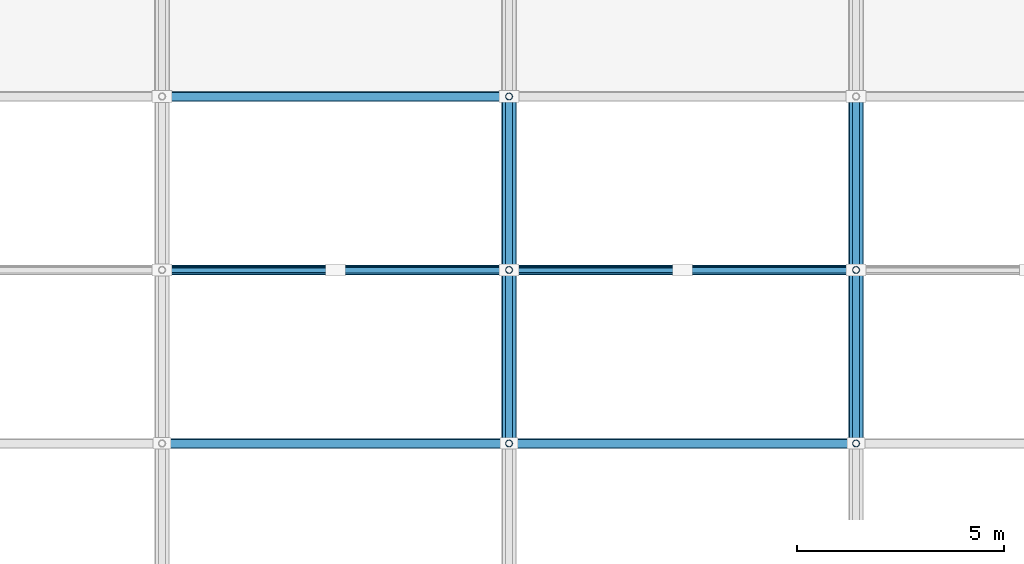
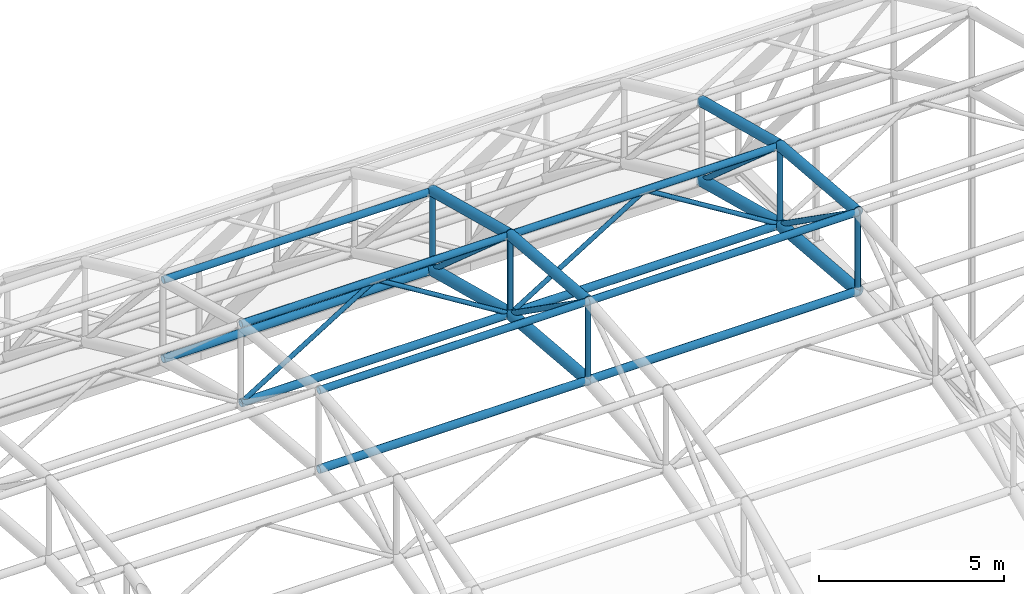
# One storey, part 46 of 103: 23 members, 8 beams.
"""IFC4 building model written with IfcOpenShell, lengths in metres."""

import ifcopenshell
import ifcopenshell.guid

model = None  # the IFC model being written
_history = None  # IfcOwnerHistory: only IFC2X3 demands one
_inside = {}  # id of a spatial element -> (the spatial element, [elements in it])
_under = {}  # id of a project, library or spatial element -> (it, [spatial elements below it])
_declared = {}  # id of a project -> (the project, [libraries it declares])
_typed = {}  # id of a type object -> (the type object, [elements of that type])
_made_of = {}  # id of a material, layer set ... -> (it, [elements and type objects made of it])


def new_model(schema):
    """Start an empty IFC model of exactly this schema.

    Asked for "IFC4X3", IfcOpenShell would pick the latest addendum, in which some entities
    have other attributes; the version numbers below select the first issue.
    IFC2X3 requires an IfcOwnerHistory on every rooted entity: one is made here for all.
    """
    global model, _history
    if schema == "IFC4X3":
        model = ifcopenshell.file(schema_version=(4, 3, 0, 0))
    else:
        model = ifcopenshell.file(schema=schema)
    _inside.clear()
    _under.clear()
    _declared.clear()
    _typed.clear()
    _made_of.clear()
    _history = None
    if model.schema == "IFC2X3":
        org = make("IfcOrganization", Name="unknown")
        user = make(
            "IfcPersonAndOrganization",
            ThePerson=make("IfcPerson", FamilyName="unknown"),
            TheOrganization=org,
        )
        app = make(
            "IfcApplication",
            ApplicationDeveloper=org,
            Version="unknown",
            ApplicationFullName="unknown",
            ApplicationIdentifier="unknown",
        )
        _history = make(
            "IfcOwnerHistory",
            OwningUser=user,
            OwningApplication=app,
            ChangeAction="ADDED",
            CreationDate=0,
        )
    return model


def make(cls, **values):
    """One entity of the class cls with the attributes given. An attribute that is None is left unset."""
    return model.create_entity(
        cls, **{name: value for name, value in values.items() if value is not None}
    )


def rooted(cls, **values):
    """An entity with a GlobalId (a new one), such as an element, a storey or a relation."""
    return make(cls, GlobalId=ifcopenshell.guid.new(), OwnerHistory=_history, **values)


def si_unit(unit_type, name, prefix=None):
    """IfcSIUnit, for example si_unit("LENGTHUNIT", "METRE", prefix="MILLI")."""
    return make("IfcSIUnit", UnitType=unit_type, Prefix=prefix, Name=name)


def assignment(units):
    """IfcUnitAssignment: the units of a project."""
    return None if units is None else make("IfcUnitAssignment", Units=units)


def point(xyz):
    """IfcCartesianPoint."""
    return None if xyz is None else make("IfcCartesianPoint", Coordinates=xyz)


def direction(xyz):
    """IfcDirection."""
    return None if xyz is None else make("IfcDirection", DirectionRatios=xyz)


def frame(location, z_axis=None, x_axis=None):
    """IfcAxis2Placement3D, a coordinate frame: its origin and axes. An axis left out is left unset."""
    return make(
        "IfcAxis2Placement3D",
        Location=point(location),
        Axis=direction(z_axis),
        RefDirection=direction(x_axis),
    )


def frame_2d(location, x_axis=None):
    """IfcAxis2Placement2D, a coordinate frame in the plane: its origin and x axis."""
    return make(
        "IfcAxis2Placement2D", Location=point(location), RefDirection=direction(x_axis)
    )


def origin():
    """The frame at (0, 0, 0) with its axes left unset."""
    return frame((0.0, 0.0, 0.0))


def origin_2d():
    """The frame at (0, 0) in the plane with its x axis left unset."""
    return frame_2d((0.0, 0.0))


def place(relative_to, where):
    """IfcLocalPlacement: puts the frame where relative to a parent placement (None: the world)."""
    return make(
        "IfcLocalPlacement", PlacementRelTo=relative_to, RelativePlacement=where
    )


def context(
    kind, dimensions, precision=None, world=None, true_north=None, identifier=None
):
    """IfcGeometricRepresentationContext, for example the 3D "Model" context."""
    return make(
        "IfcGeometricRepresentationContext",
        ContextIdentifier=identifier,
        ContextType=kind,
        CoordinateSpaceDimension=dimensions,
        Precision=precision,
        WorldCoordinateSystem=world,
        TrueNorth=true_north,
    )


def subcontext(parent, identifier, kind, view, scale=None):
    """IfcGeometricRepresentationSubContext, for example "Body" below "Model"."""
    return make(
        "IfcGeometricRepresentationSubContext",
        ContextIdentifier=identifier,
        ContextType=kind,
        ParentContext=parent,
        TargetScale=scale,
        TargetView=view,
    )


def project(units=None, contexts=None):
    """IfcProject with its units and contexts."""
    return rooted(
        "IfcProject",
        Name="project",
        RepresentationContexts=contexts,
        UnitsInContext=assignment(units),
    )


def spatial(cls, under=None, at=None, **own):
    """A site, building, storey or space (cls), placed at a placement, below another one or the project."""
    s = rooted(cls, ObjectPlacement=at, **own)
    if under is not None:
        _under.setdefault(under.id(), (under, []))[1].append(s)
    return s


def profile(cls, at=None, kind="AREA", **sizes):
    """A parametric profile (cls). Its sizes go by their IFC names, for example OverallWidth=200.0."""
    return make(cls, ProfileType=kind, Position=at, **sizes)


def hollow_circle(**sizes):
    """IfcCircleHollowProfileDef."""
    return profile("IfcCircleHollowProfileDef", **sizes)


def extrude(swept, where, along, depth):
    """IfcExtrudedAreaSolid: the profile swept, set in the frame where, extruded along a direction by depth."""
    return make(
        "IfcExtrudedAreaSolid",
        SweptArea=swept,
        Position=where,
        ExtrudedDirection=direction(along),
        Depth=depth,
    )


def shape(context_of_items, identifier, shape_type, items):
    """IfcShapeRepresentation: the items that make up one representation, for example the "Body"."""
    return make(
        "IfcShapeRepresentation",
        ContextOfItems=context_of_items,
        RepresentationIdentifier=identifier,
        RepresentationType=shape_type,
        Items=items,
    )


def material(Name=None, Category=None):
    """IfcMaterial."""
    return make("IfcMaterial", Name=Name, Category=Category)


def material_profile(
    of_material, cross_section, Name=None, Category=None, Priority=None
):
    """IfcMaterialProfile: a cross section and its material."""
    return make(
        "IfcMaterialProfile",
        Name=Name,
        Material=of_material,
        Profile=cross_section,
        Priority=Priority,
        Category=Category,
    )


def profile_set(profiles, Name=None, composite=None):
    """IfcMaterialProfileSet."""
    return make(
        "IfcMaterialProfileSet",
        Name=Name,
        MaterialProfiles=profiles,
        CompositeProfile=composite,
    )


def made_of(thing, what):
    """Note that an element or type object is made of a material, layer set ...; save() writes the relation."""
    if what is not None:
        _made_of.setdefault(what.id(), (what, []))[1].append(thing)
    return thing


def type_object(cls, material=None, **own):
    """A type object (cls), such as IfcWallType, which elements share."""
    return made_of(rooted(cls, **own), material)


def element(
    cls,
    number,
    at=None,
    inside=None,
    cuts=None,
    type_object=None,
    material=None,
    context=None,
    identifier="Body",
    shape_type=None,
    held_by="IfcProductDefinitionShape",
    body=None,
    shapes=None,
    **own,
):
    """One element of the class cls, such as IfcWall. Its Tag is "e" and its number.

    at: its placement. inside: the storey or other place that contains it. cuts: it is an
    opening in that element (IfcRelVoidsElement). A single representation is given by context,
    identifier, shape_type and body (its items); several are given by shapes. held_by: the class
    of the entity that holds the representations. save() writes the other relations.
    """
    e = rooted(cls, Tag="e%d" % number, ObjectPlacement=at, **own)
    if body is not None:
        shapes = [shape(context, identifier, shape_type, body)]
    if shapes is not None:
        e.Representation = make(held_by, Representations=shapes)
    if inside is not None:
        _inside.setdefault(inside.id(), (inside, []))[1].append(e)
    if cuts is not None:
        rooted(
            "IfcRelVoidsElement", RelatingBuildingElement=cuts, RelatedOpeningElement=e
        )
    if type_object is not None:
        _typed.setdefault(type_object.id(), (type_object, []))[1].append(e)
    return made_of(e, material)


def aggregate(whole, parts):
    """IfcRelAggregates: a whole, such as a stair, and the parts it consists of."""
    return rooted("IfcRelAggregates", RelatingObject=whole, RelatedObjects=parts)


def save(model, path):
    """Write the relations noted so far, then the file.

    IfcRelAggregates (storeys below a building ...), IfcRelContainedInSpatialStructure (elements
    in a storey), IfcRelDefinesByType, IfcRelAssociatesMaterial and IfcRelDeclares: one each for
    every whole, place, type object, material and project.
    """
    for whole, parts in _under.values():
        aggregate(whole, parts)
    for where, things in _inside.values():
        rooted(
            "IfcRelContainedInSpatialStructure",
            RelatedElements=things,
            RelatingStructure=where,
        )
    for kind, things in _typed.values():
        rooted("IfcRelDefinesByType", RelatedObjects=things, RelatingType=kind)
    for what, things in _made_of.values():
        rooted("IfcRelAssociatesMaterial", RelatedObjects=things, RelatingMaterial=what)
    for by, libraries in _declared.values():
        rooted("IfcRelDeclares", RelatingContext=by, RelatedDefinitions=libraries)
    model.write(path)


model = new_model("IFC4")

# Units and contexts
model_context = context("Model", 3, precision=1e-05, world=origin(), true_north=direction((0.0, 1.0)))
body_context = subcontext(model_context, "Body", "Model", "MODEL_VIEW")
ifc_project = project(units=[si_unit("LENGTHUNIT", "METRE"), si_unit("AREAUNIT", "SQUARE_METRE"), si_unit("VOLUMEUNIT", "CUBIC_METRE"), si_unit("PLANEANGLEUNIT", "RADIAN"), si_unit("MASSUNIT", "GRAM", prefix="KILO")], contexts=[model_context])

# Site, building, storey
site_placement = place(None, origin())
site = spatial("IfcSite", under=ifc_project, at=site_placement, CompositionType="ELEMENT")
building_placement = place(site_placement, origin())
building = spatial("IfcBuilding", under=site, at=building_placement, Name="Varnapada Polytechnic", CompositionType="ELEMENT")
storey_placement = place(building_placement, frame((0.0, 0.0, 18.0)))
storey = spatial("IfcBuildingStorey", under=building, at=storey_placement, Name="L04", CompositionType="ELEMENT", Elevation=18.0)

# Members
ifc_material = material(Name="Steel S355", Category="steel")
ifc_material_profile_1 = material_profile(ifc_material, hollow_circle(Radius=0.122314453125, WallThickness=0.008056640625, at=origin_2d()), Name="CHS 244.5x8.0")
ifc_profile_set_1 = profile_set([ifc_material_profile_1], Name="Steel S355")
member_type_1 = type_object("IfcMemberType", Name="Vaulted space frame longitudinal bottom chord SFC-01 (CHS 244.5x8.0)", PredefinedType="CHORD", material=ifc_profile_set_1)
for number, where, z_axis, x_axis, name in (
    (1, (109.199951171875, 105.0, 11.435302734375), (1.0, 0.0, 0.0), (0.0, 1.0, 0.0), "Vaulted space frame longitudinal bottom chord 8.6"),
    (2, (109.199951171875, 109.199951171875, 11.080078125), (1.0, 0.0, 0.0), (0.0, 1.0, 0.0), "Vaulted space frame longitudinal bottom chord 8.7"),
    (3, (109.199951171875, 113.39990234375, 9.98193359375), (1.0, 0.0, 0.0), (0.0, 1.0, 0.0), "Vaulted space frame longitudinal bottom chord 8.8"),
):
    element("IfcMember", number, at=place(storey_placement, frame(where, z_axis=z_axis, x_axis=x_axis)), inside=storey, type_object=member_type_1, Name=name, PredefinedType="CHORD", context=body_context, shape_type="SweptSolid", body=[
        extrude(hollow_circle(Radius=0.122314453125, WallThickness=0.008056640625, at=origin_2d()), origin(), (0.0, 0.0, 1.0), 8.400146484375),
    ])
for number, where, z_axis, x_axis, name in (
    (4, (117.60009765625, 105.0, 11.435302734375), (1.0, 0.0, 0.0), (0.0, 1.0, 0.0), "Vaulted space frame longitudinal bottom chord 9.6"),
    (5, (117.60009765625, 109.199951171875, 11.080078125), (1.0, 0.0, 0.0), (0.0, 1.0, 0.0), "Vaulted space frame longitudinal bottom chord 9.7"),
):
    element("IfcMember", number, at=place(storey_placement, frame(where, z_axis=z_axis, x_axis=x_axis)), inside=storey, type_object=member_type_1, Name=name, PredefinedType="CHORD", context=body_context, shape_type="SweptSolid", body=[
        extrude(hollow_circle(Radius=0.122314453125, WallThickness=0.008056640625, at=origin_2d()), origin(), (0.0, 0.0, 1.0), 8.39990234375),
    ])
ifc_material_profile_2 = material_profile(ifc_material, hollow_circle(Radius=0.109619140625, WallThickness=0.008056640625, at=origin_2d()), Name="CHS 219.1x8.0")
ifc_profile_set_2 = profile_set([ifc_material_profile_2], Name="Steel S355")
member_type_2 = type_object("IfcMemberType", Name="Vaulted space frame longitudinal top chord SFC-02 (CHS 219.1x8.0)", PredefinedType="CHORD", material=ifc_profile_set_2)
for number, where, z_axis, x_axis, name in (
    (6, (109.199951171875, 105.0, 14.035400390625), (1.0, 0.0, 0.0), (0.0, 1.0, 0.0), "Vaulted space frame longitudinal top chord 8.6"),
    (7, (109.199951171875, 109.199951171875, 13.679931640625), (1.0, 0.0, 0.0), (0.0, 1.0, 0.0), "Vaulted space frame longitudinal top chord 8.7"),
    (8, (109.199951171875, 113.39990234375, 12.581787109375), (1.0, 0.0, 0.0), (0.0, 1.0, 0.0), "Vaulted space frame longitudinal top chord 8.8"),
):
    element("IfcMember", number, at=place(storey_placement, frame(where, z_axis=z_axis, x_axis=x_axis)), inside=storey, type_object=member_type_2, Name=name, PredefinedType="CHORD", context=body_context, shape_type="SweptSolid", body=[
        extrude(hollow_circle(Radius=0.109619140625, WallThickness=0.008056640625, at=origin_2d()), origin(), (0.0, 0.0, 1.0), 8.400146484375),
    ])
for number, where, z_axis, x_axis, name in (
    (9, (117.60009765625, 105.0, 14.035400390625), (1.0, 0.0, 0.0), (0.0, 1.0, 0.0), "Vaulted space frame longitudinal top chord 9.6"),
    (10, (117.60009765625, 109.199951171875, 13.679931640625), (1.0, 0.0, 0.0), (0.0, 1.0, 0.0), "Vaulted space frame longitudinal top chord 9.7"),
):
    element("IfcMember", number, at=place(storey_placement, frame(where, z_axis=z_axis, x_axis=x_axis)), inside=storey, type_object=member_type_2, Name=name, PredefinedType="CHORD", context=body_context, shape_type="SweptSolid", body=[
        extrude(hollow_circle(Radius=0.109619140625, WallThickness=0.008056640625, at=origin_2d()), origin(), (0.0, 0.0, 1.0), 8.39990234375),
    ])

# Beams
ifc_material_profile_3 = material_profile(ifc_material, hollow_circle(Radius=0.177734375, WallThickness=0.012451171875, at=origin_2d()), Name="CHS 355.6x12.5")
ifc_profile_set_3 = profile_set([ifc_material_profile_3], Name="Steel S355")
beam_type_1 = type_object("IfcBeamType", Name="Vaulted space frame primary arch rib VA-01 (CHS 355.6x12.5)", PredefinedType="BEAM", material=ifc_profile_set_3)
beam_1_placement = place(storey_placement, frame((117.60009765625, 105.0, 11.435302734375), z_axis=(0.0, 0.99644233396, -0.084277369988), x_axis=(-1.0, 0.0, 0.0)))
element("IfcBeam", 11, at=beam_1_placement, inside=storey, type_object=beam_type_1, Name="Vaulted space frame bottom arch chord 9.6", PredefinedType="BEAM", context=body_context, shape_type="SweptSolid", body=[
    extrude(hollow_circle(Radius=0.177734375, WallThickness=0.012451171875, at=origin_2d()), origin(), (0.0, 0.0, 1.0), 4.21484375),
])
beam_2_placement = place(storey_placement, frame((117.60009765625, 109.199951171875, 11.080078125), z_axis=(0.0, 0.967476176159, -0.252962148484), x_axis=(-1.0, 0.0, 0.0)))
element("IfcBeam", 12, at=beam_2_placement, inside=storey, type_object=beam_type_1, Name="Vaulted space frame bottom arch chord 9.7", PredefinedType="BEAM", context=body_context, shape_type="SweptSolid", body=[
    extrude(hollow_circle(Radius=0.177734375, WallThickness=0.012451171875, at=origin_2d()), origin(), (0.0, 0.0, 1.0), 4.341064453125),
])
beam_3_placement = place(storey_placement, frame((126.0, 105.0, 11.435302734375), z_axis=(0.0, 0.99644233396, -0.084277369988), x_axis=(-1.0, 0.0, 0.0)))
element("IfcBeam", 13, at=beam_3_placement, inside=storey, type_object=beam_type_1, Name="Vaulted space frame bottom arch chord 10.6", PredefinedType="BEAM", context=body_context, shape_type="SweptSolid", body=[
    extrude(hollow_circle(Radius=0.177734375, WallThickness=0.012451171875, at=origin_2d()), origin(), (0.0, 0.0, 1.0), 4.21484375),
])
beam_4_placement = place(storey_placement, frame((126.0, 109.199951171875, 11.080078125), z_axis=(0.0, 0.967476176159, -0.252962148484), x_axis=(-1.0, 0.0, 0.0)))
element("IfcBeam", 14, at=beam_4_placement, inside=storey, type_object=beam_type_1, Name="Vaulted space frame bottom arch chord 10.7", PredefinedType="BEAM", context=body_context, shape_type="SweptSolid", body=[
    extrude(hollow_circle(Radius=0.177734375, WallThickness=0.012451171875, at=origin_2d()), origin(), (0.0, 0.0, 1.0), 4.341064453125),
])

# Members
ifc_material_profile_4 = material_profile(ifc_material, hollow_circle(Radius=0.084228515625, WallThickness=0.00634765625, at=origin_2d()), Name="CHS 168.3x6.3")
ifc_profile_set_4 = profile_set([ifc_material_profile_4], Name="Steel S355")
member_type_3 = type_object("IfcMemberType", Name="Vaulted space frame primary web diagonal SFB-01 (CHS 168.3x6.3)", PredefinedType="BRACE", material=ifc_profile_set_4)
member_1_placement = place(storey_placement, frame((117.60009765625, 105.0, 14.035400390625), z_axis=(0.0, 0.817824649693, -0.575467498956), x_axis=(-1.0, 0.0, 0.0)))
element("IfcMember", 15, at=member_1_placement, inside=storey, type_object=member_type_3, Name="Vaulted space frame web diagonal 9.6", PredefinedType="BRACE", context=body_context, shape_type="SweptSolid", body=[
    extrude(hollow_circle(Radius=0.084228515625, WallThickness=0.00634765625, at=origin_2d()), origin(), (0.0, 0.0, 1.0), 5.135498046875),
])
member_2_placement = place(storey_placement, frame((117.60009765625, 109.199951171875, 13.679931640625), z_axis=(0.0, 0.750532603682, -0.660833421378), x_axis=(-1.0, 0.0, 0.0)))
element("IfcMember", 16, at=member_2_placement, inside=storey, type_object=member_type_3, Name="Vaulted space frame web diagonal 9.7", PredefinedType="BRACE", context=body_context, shape_type="SweptSolid", body=[
    extrude(hollow_circle(Radius=0.084228515625, WallThickness=0.00634765625, at=origin_2d()), origin(), (0.0, 0.0, 1.0), 5.595947265625),
])
member_3_placement = place(storey_placement, frame((126.0, 105.0, 14.035400390625), z_axis=(0.0, 0.817824649693, -0.575467498956), x_axis=(-1.0, 0.0, 0.0)))
element("IfcMember", 17, at=member_3_placement, inside=storey, type_object=member_type_3, Name="Vaulted space frame web diagonal 10.6", PredefinedType="BRACE", context=body_context, shape_type="SweptSolid", body=[
    extrude(hollow_circle(Radius=0.084228515625, WallThickness=0.00634765625, at=origin_2d()), origin(), (0.0, 0.0, 1.0), 5.135498046875),
])
member_4_placement = place(storey_placement, frame((126.0, 109.199951171875, 13.679931640625), z_axis=(0.0, 0.750532603682, -0.660833421378), x_axis=(-1.0, 0.0, 0.0)))
element("IfcMember", 18, at=member_4_placement, inside=storey, type_object=member_type_3, Name="Vaulted space frame web diagonal 10.7", PredefinedType="BRACE", context=body_context, shape_type="SweptSolid", body=[
    extrude(hollow_circle(Radius=0.084228515625, WallThickness=0.00634765625, at=origin_2d()), origin(), (0.0, 0.0, 1.0), 5.595947265625),
])
ifc_material_profile_5 = material_profile(ifc_material, hollow_circle(Radius=0.084228515625, WallThickness=0.00634765625, at=origin_2d()), Name="CHS 168.3x6.3")
ifc_profile_set_5 = profile_set([ifc_material_profile_5], Name="Steel S355")
member_type_4 = type_object("IfcMemberType", Name="Vaulted space frame radial web strut SFS-01 (CHS 168.3x6.3)", PredefinedType="STRUT", material=ifc_profile_set_5)
member_5_placement = place(storey_placement, frame((117.60009765625, 105.0, 11.435302734375), z_axis=(0.0, 0.0, 1.0), x_axis=(1.0, 0.0, 0.0)))
element("IfcMember", 19, at=member_5_placement, inside=storey, type_object=member_type_4, Name="Vaulted space frame strut 9.6", PredefinedType="STRUT", context=body_context, shape_type="SweptSolid", body=[
    extrude(hollow_circle(Radius=0.084228515625, WallThickness=0.00634765625, at=origin_2d()), origin(), (0.0, 0.0, 1.0), 2.60009765625),
])
for number, where, z_axis, x_axis, name in (
    (20, (117.60009765625, 109.199951171875, 11.080078125), (0.0, 0.0, 1.0), (1.0, 0.0, 0.0), "Vaulted space frame strut 9.7"),
    (21, (117.60009765625, 113.39990234375, 9.98193359375), (0.0, 0.0, 1.0), (1.0, 0.0, 0.0), "Vaulted space frame strut 9.8"),
):
    element("IfcMember", number, at=place(storey_placement, frame(where, z_axis=z_axis, x_axis=x_axis)), inside=storey, type_object=member_type_4, Name=name, PredefinedType="STRUT", context=body_context, shape_type="SweptSolid", body=[
        extrude(hollow_circle(Radius=0.084228515625, WallThickness=0.00634765625, at=origin_2d()), origin(), (0.0, 0.0, 1.0), 2.599853515625),
    ])
member_6_placement = place(storey_placement, frame((126.0, 105.0, 11.435302734375), z_axis=(0.0, 0.0, 1.0), x_axis=(1.0, 0.0, 0.0)))
element("IfcMember", 22, at=member_6_placement, inside=storey, type_object=member_type_4, Name="Vaulted space frame strut 10.6", PredefinedType="STRUT", context=body_context, shape_type="SweptSolid", body=[
    extrude(hollow_circle(Radius=0.084228515625, WallThickness=0.00634765625, at=origin_2d()), origin(), (0.0, 0.0, 1.0), 2.60009765625),
])
member_7_placement = place(storey_placement, frame((126.0, 109.199951171875, 11.080078125), z_axis=(0.0, 0.0, 1.0), x_axis=(1.0, 0.0, 0.0)))
element("IfcMember", 23, at=member_7_placement, inside=storey, type_object=member_type_4, Name="Vaulted space frame strut 10.7", PredefinedType="STRUT", context=body_context, shape_type="SweptSolid", body=[
    extrude(hollow_circle(Radius=0.084228515625, WallThickness=0.00634765625, at=origin_2d()), origin(), (0.0, 0.0, 1.0), 2.599853515625),
])
ifc_material_profile_6 = material_profile(ifc_material, hollow_circle(Radius=0.06982421875, WallThickness=0.0048828125, at=origin_2d()), Name="CHS 139.7x5.0")
ifc_profile_set_6 = profile_set([ifc_material_profile_6], Name="Steel S355")
member_type_5 = type_object("IfcMemberType", Name="Vaulted space frame secondary web diagonal SFB-02 (CHS 139.7x5.0)", PredefinedType="BRACE", material=ifc_profile_set_6)
member_8_placement = place(storey_placement, frame((109.199951171875, 109.199951171875, 11.080078125), z_axis=(0.85027567993, 0.0, 0.526337598999), x_axis=(0.0, 1.0, 0.0)))
element("IfcMember", 24, at=member_8_placement, inside=storey, type_object=member_type_5, Name="Vaulted space frame longitudinal brace 8.7A", PredefinedType="BRACE", context=body_context, shape_type="SweptSolid", body=[
    extrude(hollow_circle(Radius=0.06982421875, WallThickness=0.0048828125, at=origin_2d()), origin(), (0.0, 0.0, 1.0), 4.939453125),
])
member_9_placement = place(storey_placement, frame((117.60009765625, 109.199951171875, 11.080078125), z_axis=(-0.850289371618, 0.0, 0.526315480025), x_axis=(0.0, -1.0, 0.0)))
element("IfcMember", 25, at=member_9_placement, inside=storey, type_object=member_type_5, Name="Vaulted space frame longitudinal brace 8.7B", PredefinedType="BRACE", context=body_context, shape_type="SweptSolid", body=[
    extrude(hollow_circle(Radius=0.06982421875, WallThickness=0.0048828125, at=origin_2d()), origin(), (0.0, 0.0, 1.0), 4.939697265625),
])
for number, where, z_axis, x_axis, name in (
    (26, (117.60009765625, 109.199951171875, 11.080078125), (0.85027567993, 0.0, 0.526337598999), (0.0, 1.0, 0.0), "Vaulted space frame longitudinal brace 9.7A"),
    (27, (126.0, 109.199951171875, 11.080078125), (-0.85027567993, 0.0, 0.526337598999), (0.0, -1.0, 0.0), "Vaulted space frame longitudinal brace 9.7B"),
):
    element("IfcMember", number, at=place(storey_placement, frame(where, z_axis=z_axis, x_axis=x_axis)), inside=storey, type_object=member_type_5, Name=name, PredefinedType="BRACE", context=body_context, shape_type="SweptSolid", body=[
        extrude(hollow_circle(Radius=0.06982421875, WallThickness=0.0048828125, at=origin_2d()), origin(), (0.0, 0.0, 1.0), 4.939453125),
    ])

# Beams
ifc_material_profile_7 = material_profile(ifc_material, hollow_circle(Radius=0.161865234375, WallThickness=0.010009765625, at=origin_2d()), Name="CHS 323.9x10.0")
ifc_profile_set_7 = profile_set([ifc_material_profile_7], Name="Steel S355")
beam_type_2 = type_object("IfcBeamType", Name="Vaulted space frame upper arch rib VA-02 (CHS 323.9x10.0)", PredefinedType="BEAM", material=ifc_profile_set_7)
beam_5_placement = place(storey_placement, frame((117.60009765625, 105.0, 14.035400390625), z_axis=(0.0, 0.996437468128, -0.084334880753), x_axis=(-1.0, 0.0, 0.0)))
element("IfcBeam", 28, at=beam_5_placement, inside=storey, type_object=beam_type_2, Name="Vaulted space frame top arch chord 9.6", PredefinedType="BEAM", context=body_context, shape_type="SweptSolid", body=[
    extrude(hollow_circle(Radius=0.161865234375, WallThickness=0.010009765625, at=origin_2d()), origin(), (0.0, 0.0, 1.0), 4.215087890625),
])
beam_6_placement = place(storey_placement, frame((117.60009765625, 109.199951171875, 13.679931640625), z_axis=(0.0, 0.967476176159, -0.252962148484), x_axis=(-1.0, 0.0, 0.0)))
element("IfcBeam", 29, at=beam_6_placement, inside=storey, type_object=beam_type_2, Name="Vaulted space frame top arch chord 9.7", PredefinedType="BEAM", context=body_context, shape_type="SweptSolid", body=[
    extrude(hollow_circle(Radius=0.161865234375, WallThickness=0.010009765625, at=origin_2d()), origin(), (0.0, 0.0, 1.0), 4.341064453125),
])
beam_7_placement = place(storey_placement, frame((126.0, 105.0, 14.035400390625), z_axis=(0.0, 0.996437468128, -0.084334880753), x_axis=(-1.0, 0.0, 0.0)))
element("IfcBeam", 30, at=beam_7_placement, inside=storey, type_object=beam_type_2, Name="Vaulted space frame top arch chord 10.6", PredefinedType="BEAM", context=body_context, shape_type="SweptSolid", body=[
    extrude(hollow_circle(Radius=0.161865234375, WallThickness=0.010009765625, at=origin_2d()), origin(), (0.0, 0.0, 1.0), 4.215087890625),
])
beam_8_placement = place(storey_placement, frame((126.0, 109.199951171875, 13.679931640625), z_axis=(0.0, 0.967476176159, -0.252962148484), x_axis=(-1.0, 0.0, 0.0)))
element("IfcBeam", 31, at=beam_8_placement, inside=storey, type_object=beam_type_2, Name="Vaulted space frame top arch chord 10.7", PredefinedType="BEAM", context=body_context, shape_type="SweptSolid", body=[
    extrude(hollow_circle(Radius=0.161865234375, WallThickness=0.010009765625, at=origin_2d()), origin(), (0.0, 0.0, 1.0), 4.341064453125),
])

save(model, "model.ifc")
